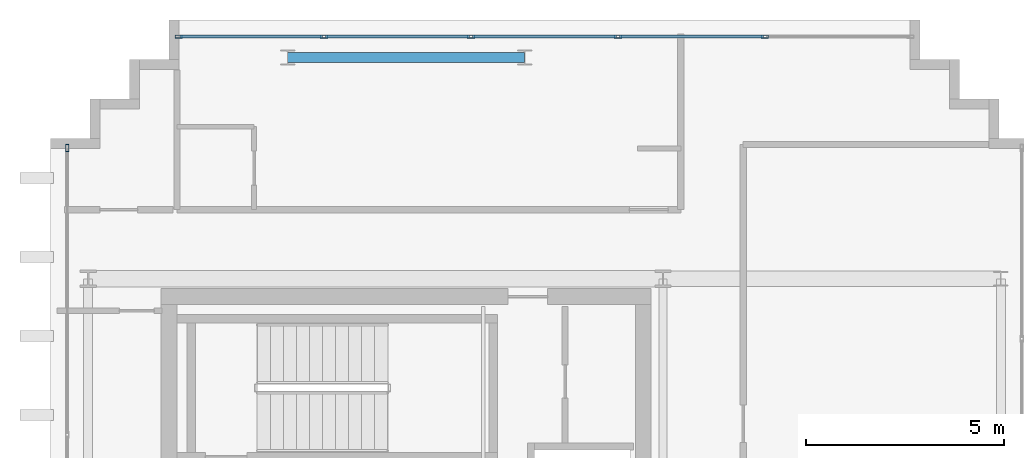
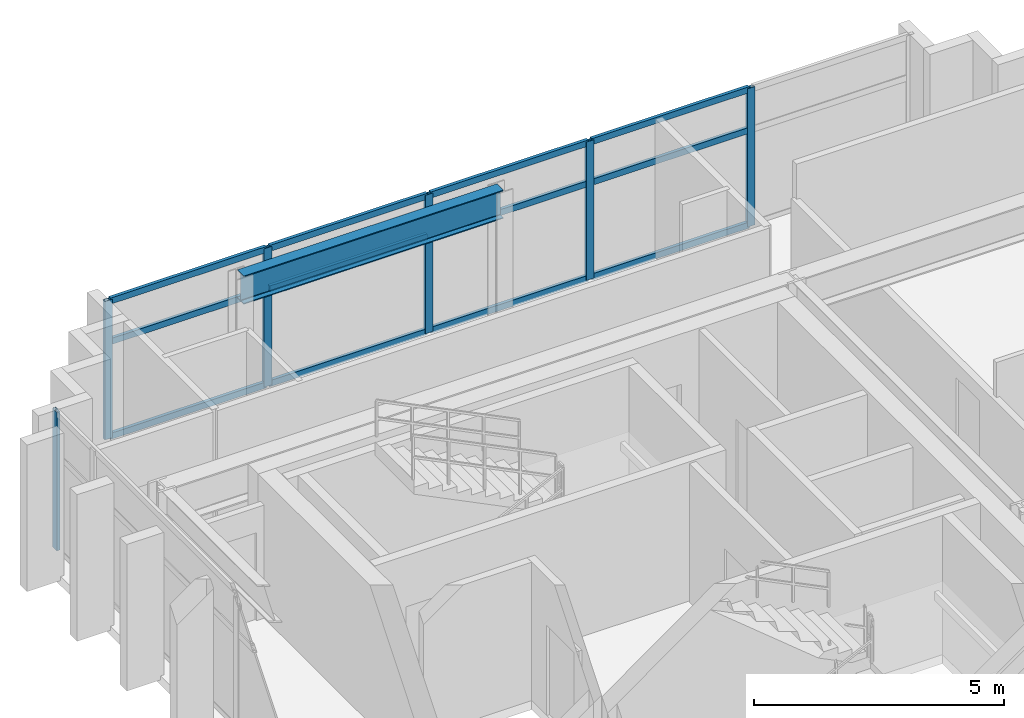
# One storey, part 9 of 15: 18 members, 1 beam, 2 elements without a shape of their own.
"""IFC4 building model written with IfcOpenShell, lengths in metres."""

from ifc_helpers import new_model, si_unit, direction, frame, origin, origin_2d, place, context, subcontext, project, spatial, hollow_rectangle, i_section, extrude, source, transform, mapped, material, layer, layer_set, material_profile, profile_set, type_object, element, aggregate, save


model = new_model("IFC4")

# Units and contexts
model_context = context("Model", 3, precision=1e-05, world=origin(), true_north=direction((0.0, 1.0)))
body_context = subcontext(model_context, "Body", "Model", "MODEL_VIEW")
ifc_project = project(units=[si_unit("LENGTHUNIT", "METRE"), si_unit("AREAUNIT", "SQUARE_METRE"), si_unit("VOLUMEUNIT", "CUBIC_METRE"), si_unit("PLANEANGLEUNIT", "RADIAN"), si_unit("MASSUNIT", "GRAM", prefix="KILO")], contexts=[model_context])

# Site, building, storey
site_placement = place(None, origin())
site = spatial("IfcSite", under=ifc_project, at=site_placement, CompositionType="ELEMENT")
building_placement = place(site_placement, origin())
building = spatial("IfcBuilding", under=site, at=building_placement, Name="Ocotamira Hotel", CompositionType="ELEMENT")
storey_placement = place(building_placement, frame((0.0, 0.0, 279.60009765625)))
storey = spatial("IfcBuildingStorey", under=building, at=storey_placement, Name="L71", CompositionType="ELEMENT", Elevation=279.60009765625)

# Beam
ifc_material_1 = material(Name="Steel ASTM A992 Grade 50", Category="steel")
ifc_material_profile_1 = material_profile(ifc_material_1, i_section(OverallWidth=0.256103515625, OverallDepth=0.693115234375, WebThickness=0.014404296875, FlangeThickness=0.023681640625, FilletRadius=0.01611328125, at=origin_2d()), Name="W27X114")
ifc_profile_set_1 = profile_set([ifc_material_profile_1], Name="Steel ASTM A992 Grade 50")
beam_type = type_object("IfcBeamType", Name="BM-PRIM-W27X114", PredefinedType="BEAM", material=ifc_profile_set_1)
shared_shape_1 = source(origin(), body_context, "Body", "SweptSolid", [
    extrude(i_section(OverallWidth=0.256103515625, OverallDepth=0.693115234375, WebThickness=0.014404296875, FlangeThickness=0.023681640625, FilletRadius=0.01611328125, at=origin_2d()), origin(), (0.0, 0.0, 1.0), 6.0),
])
beam_placement = place(storey_placement, frame((14.0, 43.050048828125, 3.033447265625), z_axis=(1.0, 0.0, 0.0), x_axis=(0.0, 1.0, 0.0)))
element("IfcBeam", 1, at=beam_placement, inside=storey, type_object=beam_type, Name="L71 Girder Y43.05 X14-20", PredefinedType="BEAM", context=body_context, shape_type="MappedRepresentation", body=[
    mapped(shared_shape_1, transform((0.0, 0.0, 0.0), scale=1.0)),
])

# Curtain wall, members
ifc_material_2 = material(Name="Anodised pale-metal aluminium and solar glass", Category="aluminium")
ifc_layer = layer(ifc_material_2, 0.2099609375)
ifc_layer_set = layer_set([ifc_layer], Name="Anodised pale-metal aluminium and solar glass")
curtain_wall_type = type_object("IfcCurtainWallType", Name="CW-SYS7-PEAK", PredefinedType="NOTDEFINED", material=ifc_layer_set)
curtain_wall_1_placement = place(storey_placement, origin())
curtain_wall_1 = element("IfcCurtainWall", 2, at=curtain_wall_1_placement, inside=storey, type_object=curtain_wall_type, Name="L71 Curtain Wall CW-7 CW-L71-N", PredefinedType="NOTDEFINED")
ifc_material_3 = material(Name="Anodised pale-metal aluminium 6063-T6", Category="aluminium")
ifc_material_profile_2 = material_profile(ifc_material_3, hollow_rectangle(XDim=0.080078125, YDim=0.179931640625, WallThickness=0.006103515625, at=origin_2d()), Name="HSS180X80X6")
ifc_profile_set_2 = profile_set([ifc_material_profile_2], Name="Anodised pale-metal aluminium 6063-T6")
member_type_1 = type_object("IfcMemberType", Name="CWM-180X75", PredefinedType="MULLION", material=ifc_profile_set_2)
shared_shape_2 = source(origin(), body_context, "Body", "SweptSolid", [
    extrude(hollow_rectangle(XDim=0.080078125, YDim=0.179931640625, WallThickness=0.006103515625, at=origin_2d()), origin(), (0.0, 0.0, 1.0), 3.3798828125),
])
member_1_placement = place(storey_placement, frame((11.239990234375, 43.580078125, 0.0), z_axis=(0.0, 0.0, 1.0), x_axis=(0.0, 1.0, 0.0)))
member_1 = element("IfcMember", 3, at=member_1_placement, type_object=member_type_1, Name="CW-7 mullion 1", PredefinedType="MULLION", context=body_context, shape_type="MappedRepresentation", body=[
    mapped(shared_shape_2, transform((0.0, 0.0, 0.0), scale=1.0)),
])
member_2_placement = place(storey_placement, frame((14.919921875, 43.580078125, 0.0), z_axis=(0.0, 0.0, 1.0), x_axis=(0.0, 1.0, 0.0)))
member_2 = element("IfcMember", 4, at=member_2_placement, type_object=member_type_1, Name="CW-7 mullion 2", PredefinedType="MULLION", context=body_context, shape_type="MappedRepresentation", body=[
    mapped(shared_shape_2, transform((0.0, 0.0, 0.0), scale=1.0)),
])
member_3_placement = place(storey_placement, frame((18.639892578125, 43.580078125, 0.0), z_axis=(0.0, 0.0, 1.0), x_axis=(0.0, 1.0, 0.0)))
member_3 = element("IfcMember", 5, at=member_3_placement, type_object=member_type_1, Name="CW-7 mullion 3", PredefinedType="MULLION", context=body_context, shape_type="MappedRepresentation", body=[
    mapped(shared_shape_2, transform((0.0, 0.0, 0.0), scale=1.0)),
])
member_4_placement = place(storey_placement, frame((22.360107421875, 43.580078125, 0.0), z_axis=(0.0, 0.0, 1.0), x_axis=(0.0, 1.0, 0.0)))
member_4 = element("IfcMember", 6, at=member_4_placement, type_object=member_type_1, Name="CW-7 mullion 4", PredefinedType="MULLION", context=body_context, shape_type="MappedRepresentation", body=[
    mapped(shared_shape_2, transform((0.0, 0.0, 0.0), scale=1.0)),
])
member_5_placement = place(storey_placement, frame((26.080078125, 43.580078125, 0.0), z_axis=(0.0, 0.0, 1.0), x_axis=(0.0, 1.0, 0.0)))
member_5 = element("IfcMember", 7, at=member_5_placement, type_object=member_type_1, Name="CW-7 mullion 5", PredefinedType="MULLION", context=body_context, shape_type="MappedRepresentation", body=[
    mapped(shared_shape_2, transform((0.0, 0.0, 0.0), scale=1.0)),
])

# Curtain wall, member
curtain_wall_2_placement = place(storey_placement, origin())
curtain_wall_2 = element("IfcCurtainWall", 8, at=curtain_wall_2_placement, inside=storey, type_object=curtain_wall_type, Name="L71 Curtain Wall CW-7 CW-L71-W2", PredefinedType="NOTDEFINED")
member_6_placement = place(storey_placement, frame((8.419921875, 40.760009765625, 0.0), z_axis=(0.0, 0.0, 1.0), x_axis=(-1.0, 0.0, 0.0)))
member_6 = element("IfcMember", 9, at=member_6_placement, type_object=member_type_1, Name="CW-7 mullion 3", PredefinedType="MULLION", context=body_context, shape_type="MappedRepresentation", body=[
    mapped(shared_shape_2, transform((0.0, 0.0, 0.0), scale=1.0)),
])
aggregate(curtain_wall_2, [member_6])

# Member
ifc_material_profile_3 = material_profile(ifc_material_3, hollow_rectangle(XDim=0.074951171875, YDim=0.14990234375, WallThickness=0.006103515625, at=origin_2d()), Name="HSS150X75X6")
ifc_profile_set_3 = profile_set([ifc_material_profile_3], Name="Anodised pale-metal aluminium 6063-T6")
member_type_2 = type_object("IfcMemberType", Name="CWT-150X75", PredefinedType="USERDEFINED", material=ifc_profile_set_3)
shared_shape_3 = source(origin(), body_context, "Body", "SweptSolid", [
    extrude(hollow_rectangle(XDim=0.074951171875, YDim=0.14990234375, WallThickness=0.006103515625, at=origin_2d()), origin(), (0.0, 0.0, 1.0), 3.599853515625),
])
member_7_placement = place(storey_placement, frame((11.280029296875, 43.580078125, 0.037353515625), z_axis=(1.0, 0.0, 0.0), x_axis=(0.0, 1.0, 0.0)))
member_7 = element("IfcMember", 10, at=member_7_placement, type_object=member_type_2, Name="CW-7 transom 1.1", ObjectType="TRANSOM", PredefinedType="USERDEFINED", context=body_context, shape_type="MappedRepresentation", body=[
    mapped(shared_shape_3, transform((0.0, 0.0, 0.0), scale=1.0)),
])

member_8_placement = place(storey_placement, frame((11.280029296875, 43.580078125, 2.349853515625), z_axis=(1.0, 0.0, 0.0), x_axis=(0.0, 1.0, 0.0)))
member_8 = element("IfcMember", 11, at=member_8_placement, type_object=member_type_2, Name="CW-7 transom 1.2", ObjectType="TRANSOM", PredefinedType="USERDEFINED", context=body_context, shape_type="MappedRepresentation", body=[
    mapped(shared_shape_3, transform((0.0, 0.0, 0.0), scale=1.0)),
])

member_9_placement = place(storey_placement, frame((11.280029296875, 43.580078125, 3.34228515625), z_axis=(1.0, 0.0, 0.0), x_axis=(0.0, 1.0, 0.0)))
member_9 = element("IfcMember", 12, at=member_9_placement, type_object=member_type_2, Name="CW-7 transom 1.3", ObjectType="TRANSOM", PredefinedType="USERDEFINED", context=body_context, shape_type="MappedRepresentation", body=[
    mapped(shared_shape_3, transform((0.0, 0.0, 0.0), scale=1.0)),
])

shared_shape_4 = source(origin(), body_context, "Body", "SweptSolid", [
    extrude(hollow_rectangle(XDim=0.074951171875, YDim=0.14990234375, WallThickness=0.006103515625, at=origin_2d()), origin(), (0.0, 0.0, 1.0), 3.64013671875),
])
member_10_placement = place(storey_placement, frame((14.9599609375, 43.580078125, 0.037353515625), z_axis=(1.0, 0.0, 0.0), x_axis=(0.0, 1.0, 0.0)))
member_10 = element("IfcMember", 13, at=member_10_placement, type_object=member_type_2, Name="CW-7 transom 2.1", ObjectType="TRANSOM", PredefinedType="USERDEFINED", context=body_context, shape_type="MappedRepresentation", body=[
    mapped(shared_shape_4, transform((0.0, 0.0, 0.0), scale=1.0)),
])

member_11_placement = place(storey_placement, frame((14.9599609375, 43.580078125, 2.349853515625), z_axis=(1.0, 0.0, 0.0), x_axis=(0.0, 1.0, 0.0)))
member_11 = element("IfcMember", 14, at=member_11_placement, type_object=member_type_2, Name="CW-7 transom 2.2", ObjectType="TRANSOM", PredefinedType="USERDEFINED", context=body_context, shape_type="MappedRepresentation", body=[
    mapped(shared_shape_4, transform((0.0, 0.0, 0.0), scale=1.0)),
])

member_12_placement = place(storey_placement, frame((14.9599609375, 43.580078125, 3.34228515625), z_axis=(1.0, 0.0, 0.0), x_axis=(0.0, 1.0, 0.0)))
member_12 = element("IfcMember", 15, at=member_12_placement, type_object=member_type_2, Name="CW-7 transom 2.3", ObjectType="TRANSOM", PredefinedType="USERDEFINED", context=body_context, shape_type="MappedRepresentation", body=[
    mapped(shared_shape_4, transform((0.0, 0.0, 0.0), scale=1.0)),
])

member_13_placement = place(storey_placement, frame((18.679931640625, 43.580078125, 0.037353515625), z_axis=(1.0, 0.0, 0.0), x_axis=(0.0, 1.0, 0.0)))
member_13 = element("IfcMember", 16, at=member_13_placement, type_object=member_type_2, Name="CW-7 transom 3.1", ObjectType="TRANSOM", PredefinedType="USERDEFINED", context=body_context, shape_type="MappedRepresentation", body=[
    mapped(shared_shape_4, transform((0.0, 0.0, 0.0), scale=1.0)),
])

member_14_placement = place(storey_placement, frame((18.679931640625, 43.580078125, 2.349853515625), z_axis=(1.0, 0.0, 0.0), x_axis=(0.0, 1.0, 0.0)))
member_14 = element("IfcMember", 17, at=member_14_placement, type_object=member_type_2, Name="CW-7 transom 3.2", ObjectType="TRANSOM", PredefinedType="USERDEFINED", context=body_context, shape_type="MappedRepresentation", body=[
    mapped(shared_shape_4, transform((0.0, 0.0, 0.0), scale=1.0)),
])

member_15_placement = place(storey_placement, frame((18.679931640625, 43.580078125, 3.34228515625), z_axis=(1.0, 0.0, 0.0), x_axis=(0.0, 1.0, 0.0)))
member_15 = element("IfcMember", 18, at=member_15_placement, type_object=member_type_2, Name="CW-7 transom 3.3", ObjectType="TRANSOM", PredefinedType="USERDEFINED", context=body_context, shape_type="MappedRepresentation", body=[
    mapped(shared_shape_4, transform((0.0, 0.0, 0.0), scale=1.0)),
])

member_16_placement = place(storey_placement, frame((22.39990234375, 43.580078125, 0.037353515625), z_axis=(1.0, 0.0, 0.0), x_axis=(0.0, 1.0, 0.0)))
member_16 = element("IfcMember", 19, at=member_16_placement, type_object=member_type_2, Name="CW-7 transom 4.1", ObjectType="TRANSOM", PredefinedType="USERDEFINED", context=body_context, shape_type="MappedRepresentation", body=[
    mapped(shared_shape_4, transform((0.0, 0.0, 0.0), scale=1.0)),
])

member_17_placement = place(storey_placement, frame((22.39990234375, 43.580078125, 2.349853515625), z_axis=(1.0, 0.0, 0.0), x_axis=(0.0, 1.0, 0.0)))
member_17 = element("IfcMember", 20, at=member_17_placement, type_object=member_type_2, Name="CW-7 transom 4.2", ObjectType="TRANSOM", PredefinedType="USERDEFINED", context=body_context, shape_type="MappedRepresentation", body=[
    mapped(shared_shape_4, transform((0.0, 0.0, 0.0), scale=1.0)),
])

member_18_placement = place(storey_placement, frame((22.39990234375, 43.580078125, 3.34228515625), z_axis=(1.0, 0.0, 0.0), x_axis=(0.0, 1.0, 0.0)))
member_18 = element("IfcMember", 21, at=member_18_placement, type_object=member_type_2, Name="CW-7 transom 4.3", ObjectType="TRANSOM", PredefinedType="USERDEFINED", context=body_context, shape_type="MappedRepresentation", body=[
    mapped(shared_shape_4, transform((0.0, 0.0, 0.0), scale=1.0)),
])

aggregate(curtain_wall_1, [member_1, member_2, member_3, member_4, member_5, member_7, member_8, member_9, member_10, member_11, member_12, member_13, member_14, member_15, member_16, member_17, member_18])

save(model, "model.ifc")
